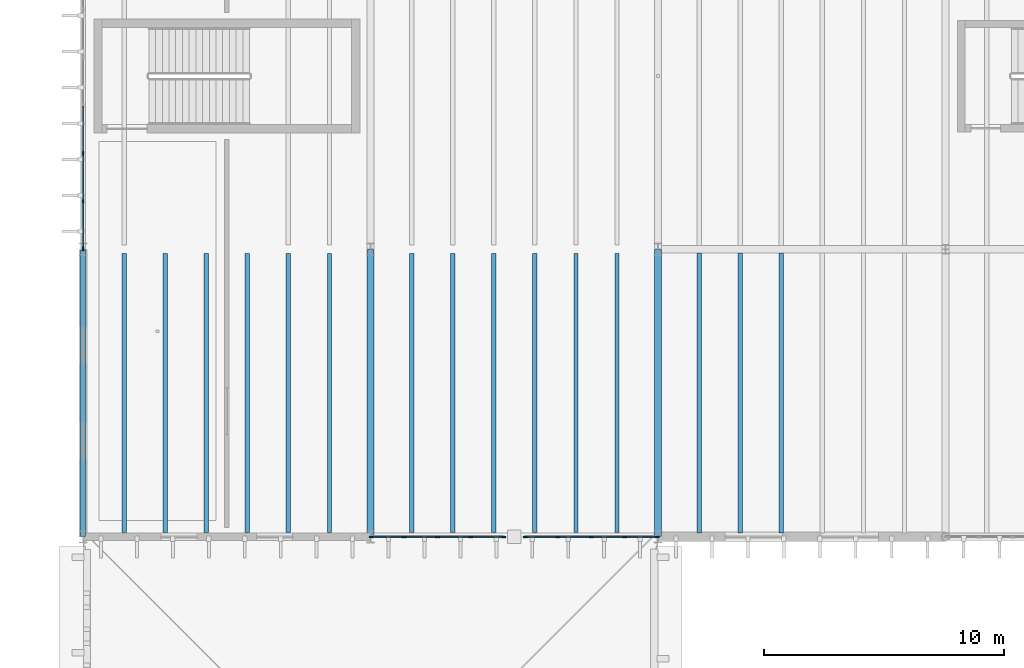
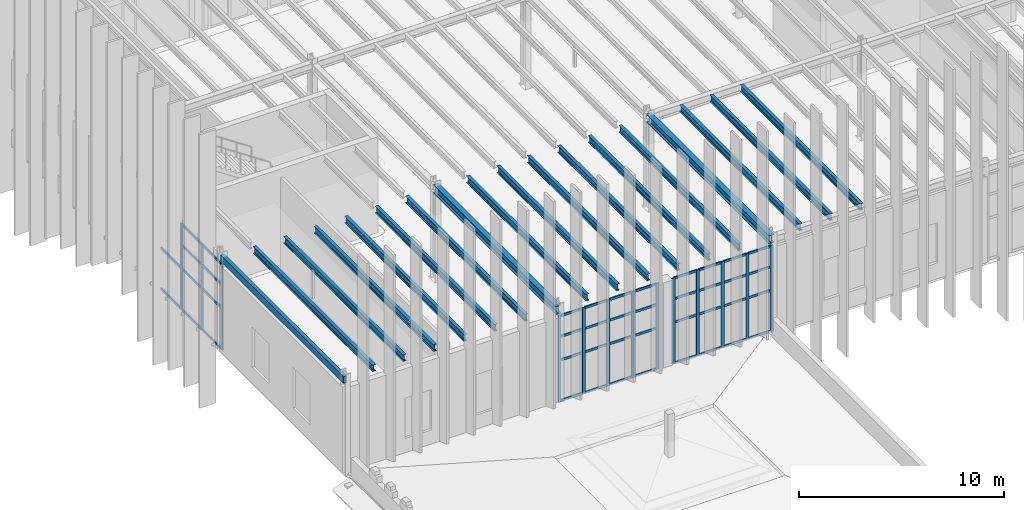
# One storey, part 15 of 83: 55 members, 18 beams, 3 elements without a shape of their own.
"""IFC4 building model written with IfcOpenShell, lengths in metres."""

from ifc_helpers import new_model, si_unit, direction, frame, origin, origin_2d, place, context, subcontext, project, spatial, rectangle, hollow_rectangle, i_section, extrude, material, layer, layer_set, material_profile, profile_set, type_object, element, aggregate, save


model = new_model("IFC4")

# Units and contexts
model_context = context("Model", 3, precision=1e-05, world=origin(), true_north=direction((0.0, 1.0)))
body_context = subcontext(model_context, "Body", "Model", "MODEL_VIEW")
ifc_project = project(units=[si_unit("LENGTHUNIT", "METRE"), si_unit("AREAUNIT", "SQUARE_METRE"), si_unit("VOLUMEUNIT", "CUBIC_METRE"), si_unit("PLANEANGLEUNIT", "RADIAN"), si_unit("MASSUNIT", "GRAM", prefix="KILO")], contexts=[model_context])

# Site, building, storey
site_placement = place(None, origin())
site = spatial("IfcSite", under=ifc_project, at=site_placement, CompositionType="ELEMENT")
building_placement = place(site_placement, origin())
building = spatial("IfcBuilding", under=site, at=building_placement, Name="Zlatogorsky Bluff Art Gallery", CompositionType="ELEMENT")
storey_placement = place(building_placement, frame((0.0, 0.0, 10.800048828125)))
storey = spatial("IfcBuildingStorey", under=building, at=storey_placement, Name="L02", CompositionType="ELEMENT", Elevation=10.800048828125)

# Beams
ifc_material_1 = material(Name="Steel S355", Category="steel")
ifc_material_profile_1 = material_profile(ifc_material_1, i_section(OverallWidth=0.300048828125, OverallDepth=0.489990234375, WebThickness=0.011962890625, FlangeThickness=0.02294921875, FilletRadius=0.027099609375, at=origin_2d()), Name="HEA 500")
ifc_profile_set_1 = profile_set([ifc_material_profile_1], Name="Steel S355")
beam_type_1 = type_object("IfcBeamType", Name="Beam BM-07 HEA 500", PredefinedType="BEAM", material=ifc_profile_set_1)
for number, where, z_axis, x_axis, name in (
    (1, (12.0, 84.014892578125, 5.445068359375), (0.0, 1.0, 0.0), (-1.0, 0.0, 0.0), "Primary girder BM-07 L02 B/9-10"),
    (2, (24.0, 84.014892578125, 5.445068359375), (0.0, 1.0, 0.0), (-1.0, 0.0, 0.0), "Primary girder BM-07 L02 C/9-10"),
):
    element("IfcBeam", number, at=place(storey_placement, frame(where, z_axis=z_axis, x_axis=x_axis)), inside=storey, type_object=beam_type_1, Name=name, PredefinedType="BEAM", context=body_context, shape_type="SweptSolid", body=[
        extrude(i_section(OverallWidth=0.300048828125, OverallDepth=0.489990234375, WebThickness=0.011962890625, FlangeThickness=0.02294921875, FilletRadius=0.027099609375, at=origin_2d()), origin(), (0.0, 0.0, 1.0), 11.97021484375),
    ])
ifc_material_profile_2 = material_profile(ifc_material_1, i_section(OverallWidth=0.179931640625, OverallDepth=0.39990234375, WebThickness=0.008544921875, FlangeThickness=0.013427734375, FilletRadius=0.02099609375, at=origin_2d()), Name="IPE 400")
ifc_profile_set_2 = profile_set([ifc_material_profile_2], Name="Steel S355")
beam_type_2 = type_object("IfcBeamType", Name="Beam JS-05 IPE 400", PredefinedType="JOIST", material=ifc_profile_set_2)
for number, where, z_axis, x_axis, name in (
    (3, (1.71435546875, 84.175048828125, 5.489990234375), (0.0, 1.0, 0.0), (-1.0, 0.0, 0.0), "Composite floor joist JS-05 L02 00.08.1"),
    (4, (3.428466796875, 84.175048828125, 5.489990234375), (0.0, 1.0, 0.0), (-1.0, 0.0, 0.0), "Composite floor joist JS-05 L02 00.08.2"),
    (5, (5.142822265625, 84.175048828125, 5.489990234375), (0.0, 1.0, 0.0), (-1.0, 0.0, 0.0), "Composite floor joist JS-05 L02 00.08.3"),
    (6, (6.857177734375, 84.175048828125, 5.489990234375), (0.0, 1.0, 0.0), (-1.0, 0.0, 0.0), "Composite floor joist JS-05 L02 00.08.4"),
    (7, (8.571533203125, 84.175048828125, 5.489990234375), (0.0, 1.0, 0.0), (-1.0, 0.0, 0.0), "Composite floor joist JS-05 L02 00.08.5"),
    (8, (10.28564453125, 84.175048828125, 5.489990234375), (0.0, 1.0, 0.0), (-1.0, 0.0, 0.0), "Composite floor joist JS-05 L02 00.08.6"),
    (9, (13.71435546875, 84.175048828125, 5.489990234375), (0.0, 1.0, 0.0), (-1.0, 0.0, 0.0), "Composite floor joist JS-05 L02 01.08.1"),
    (10, (15.428466796875, 84.175048828125, 5.489990234375), (0.0, 1.0, 0.0), (-1.0, 0.0, 0.0), "Composite floor joist JS-05 L02 01.08.2"),
    (11, (17.142822265625, 84.175048828125, 5.489990234375), (0.0, 1.0, 0.0), (-1.0, 0.0, 0.0), "Composite floor joist JS-05 L02 01.08.3"),
    (12, (18.857177734375, 84.175048828125, 5.489990234375), (0.0, 1.0, 0.0), (-1.0, 0.0, 0.0), "Composite floor joist JS-05 L02 01.08.4"),
    (13, (20.571533203125, 84.175048828125, 5.489990234375), (0.0, 1.0, 0.0), (-1.0, 0.0, 0.0), "Composite floor joist JS-05 L02 01.08.5"),
    (14, (22.28564453125, 84.175048828125, 5.489990234375), (0.0, 1.0, 0.0), (-1.0, 0.0, 0.0), "Composite floor joist JS-05 L02 01.08.6"),
):
    element("IfcBeam", number, at=place(storey_placement, frame(where, z_axis=z_axis, x_axis=x_axis)), inside=storey, type_object=beam_type_2, Name=name, PredefinedType="JOIST", context=body_context, shape_type="SweptSolid", body=[
        extrude(i_section(OverallWidth=0.179931640625, OverallDepth=0.39990234375, WebThickness=0.008544921875, FlangeThickness=0.013427734375, FilletRadius=0.02099609375, at=origin_2d()), origin(), (0.0, 0.0, 1.0), 11.64990234375),
    ])
for number, where, z_axis, x_axis, name in (
    (15, (25.71435546875, 84.14990234375, 5.489990234375), (0.0, 1.0, 0.0), (-1.0, 0.0, 0.0), "Composite floor joist JS-05 L02 02.08.1"),
    (16, (27.428466796875, 84.14990234375, 5.489990234375), (0.0, 1.0, 0.0), (-1.0, 0.0, 0.0), "Composite floor joist JS-05 L02 02.08.2"),
    (17, (29.142822265625, 84.14990234375, 5.489990234375), (0.0, 1.0, 0.0), (-1.0, 0.0, 0.0), "Composite floor joist JS-05 L02 02.08.3"),
):
    element("IfcBeam", number, at=place(storey_placement, frame(where, z_axis=z_axis, x_axis=x_axis)), inside=storey, type_object=beam_type_2, Name=name, PredefinedType="JOIST", context=body_context, shape_type="SweptSolid", body=[
        extrude(i_section(OverallWidth=0.179931640625, OverallDepth=0.39990234375, WebThickness=0.008544921875, FlangeThickness=0.013427734375, FilletRadius=0.02099609375, at=origin_2d()), origin(), (0.0, 0.0, 1.0), 11.7001953125),
    ])
ifc_material_profile_3 = material_profile(ifc_material_1, hollow_rectangle(XDim=0.199951171875, YDim=0.39990234375, WallThickness=0.01611328125, at=origin_2d()), Name="RHS 400x200x16")
ifc_profile_set_3 = profile_set([ifc_material_profile_3], Name="Steel S355")
beam_type_3 = type_object("IfcBeamType", Name="Beam SP-02 RHS 400x200x16", PredefinedType="SPANDREL", material=ifc_profile_set_3)
beam_placement = place(storey_placement, frame((0.0, 84.014892578125, 5.489990234375), z_axis=(0.0, 1.0, 0.0), x_axis=(-1.0, 0.0, 0.0)))
element("IfcBeam", 18, at=beam_placement, inside=storey, type_object=beam_type_3, Name="Primary girder SP-02 L02 A/9-10", PredefinedType="SPANDREL", context=body_context, shape_type="SweptSolid", body=[
    extrude(hollow_rectangle(XDim=0.199951171875, YDim=0.39990234375, WallThickness=0.01611328125, at=origin_2d()), origin(), (0.0, 0.0, 1.0), 11.97021484375),
])

# Curtain wall, members
ifc_material_2 = material(Name="Anodised Bronze Aluminium and Low-Iron Triple Glazing", Category="aluminium")
ifc_layer_1 = layer(ifc_material_2, 0.219970703125)
ifc_layer_set_1 = layer_set([ifc_layer_1], Name="Curtain Wall CW-04")
curtain_wall_type_1 = type_object("IfcCurtainWallType", Name="Curtain Wall CW-04", PredefinedType="USERDEFINED", material=ifc_layer_set_1)
curtain_wall_1_placement = place(storey_placement, origin())
curtain_wall_1 = element("IfcCurtainWall", 19, at=curtain_wall_1_placement, inside=storey, type_object=curtain_wall_type_1, Name="Unitised curtain wall CW-04 L02 W 0.9", ObjectType="CURTAIN WALL", PredefinedType="USERDEFINED")
ifc_material_3 = material(Name="Anodised Bronze Aluminium", Category="aluminium")
ifc_material_profile_4 = material_profile(ifc_material_3, rectangle(XDim=0.06494140625, YDim=0.179931640625, at=origin_2d()), Name="ALU MULLION 65x180")
ifc_profile_set_4 = profile_set([ifc_material_profile_4], Name="Anodised Bronze Aluminium")
member_type_1 = type_object("IfcMemberType", Name="Curtain Mullion ML-01", PredefinedType="MULLION", material=ifc_profile_set_4)
member_1_placement = place(storey_placement, frame((0.0, 100.0, 0.0), z_axis=(0.0, 0.0, 1.0), x_axis=(1.0, 0.0, 0.0)))
member_1 = element("IfcMember", 20, at=member_1_placement, type_object=member_type_1, Name="CW-04 mullion 5", PredefinedType="MULLION", context=body_context, shape_type="SweptSolid", body=[
    extrude(rectangle(XDim=0.06494140625, YDim=0.179931640625, at=origin_2d()), origin(), (0.0, 0.0, 1.0), 5.10986328125),
])
member_2_placement = place(storey_placement, frame((0.0, 98.0, 0.0), z_axis=(0.0, 0.0, 1.0), x_axis=(1.0, 0.0, 0.0)))
member_2 = element("IfcMember", 21, at=member_2_placement, type_object=member_type_1, Name="CW-04 mullion 6", PredefinedType="MULLION", context=body_context, shape_type="SweptSolid", body=[
    extrude(rectangle(XDim=0.06494140625, YDim=0.179931640625, at=origin_2d()), origin(), (0.0, 0.0, 1.0), 5.10986328125),
])
member_3_placement = place(storey_placement, frame((0.0, 96.032470703125, 0.0), z_axis=(0.0, 0.0, 1.0), x_axis=(1.0, 0.0, 0.0)))
member_3 = element("IfcMember", 22, at=member_3_placement, type_object=member_type_1, Name="CW-04 mullion 7", PredefinedType="MULLION", context=body_context, shape_type="SweptSolid", body=[
    extrude(rectangle(XDim=0.06494140625, YDim=0.179931640625, at=origin_2d()), origin(), (0.0, 0.0, 1.0), 5.10986328125),
])

ifc_layer_2 = layer(ifc_material_2, 0.179931640625)
ifc_layer_set_2 = layer_set([ifc_layer_2], Name="Curtain Wall CW-01")
curtain_wall_type_2 = type_object("IfcCurtainWallType", Name="Curtain Wall CW-01", PredefinedType="USERDEFINED", material=ifc_layer_set_2)
curtain_wall_2_placement = place(storey_placement, origin())
curtain_wall_2 = element("IfcCurtainWall", 23, at=curtain_wall_2_placement, inside=storey, type_object=curtain_wall_type_2, Name="Unitised curtain wall CW-01 L02 S 1.8-A", ObjectType="CURTAIN WALL", PredefinedType="USERDEFINED")
member_4_placement = place(storey_placement, frame((12.032470703125, 84.0, 0.0), z_axis=(0.0, 0.0, 1.0), x_axis=(0.0, 1.0, 0.0)))
member_4 = element("IfcMember", 24, at=member_4_placement, type_object=member_type_1, Name="CW-01 mullion 1", PredefinedType="MULLION", context=body_context, shape_type="SweptSolid", body=[
    extrude(rectangle(XDim=0.06494140625, YDim=0.179931640625, at=origin_2d()), origin(), (0.0, 0.0, 1.0), 5.10986328125),
])
member_5_placement = place(storey_placement, frame((13.39501953125, 84.0, 0.0), z_axis=(0.0, 0.0, 1.0), x_axis=(0.0, 1.0, 0.0)))
member_5 = element("IfcMember", 25, at=member_5_placement, type_object=member_type_1, Name="CW-01 mullion 2", PredefinedType="MULLION", context=body_context, shape_type="SweptSolid", body=[
    extrude(rectangle(XDim=0.06494140625, YDim=0.179931640625, at=origin_2d()), origin(), (0.0, 0.0, 1.0), 5.10986328125),
])
member_6_placement = place(storey_placement, frame((14.7900390625, 84.0, 0.0), z_axis=(0.0, 0.0, 1.0), x_axis=(0.0, 1.0, 0.0)))
member_6 = element("IfcMember", 26, at=member_6_placement, type_object=member_type_1, Name="CW-01 mullion 3", PredefinedType="MULLION", context=body_context, shape_type="SweptSolid", body=[
    extrude(rectangle(XDim=0.06494140625, YDim=0.179931640625, at=origin_2d()), origin(), (0.0, 0.0, 1.0), 5.10986328125),
])
member_7_placement = place(storey_placement, frame((16.18505859375, 84.0, 0.0), z_axis=(0.0, 0.0, 1.0), x_axis=(0.0, 1.0, 0.0)))
member_7 = element("IfcMember", 27, at=member_7_placement, type_object=member_type_1, Name="CW-01 mullion 4", PredefinedType="MULLION", context=body_context, shape_type="SweptSolid", body=[
    extrude(rectangle(XDim=0.06494140625, YDim=0.179931640625, at=origin_2d()), origin(), (0.0, 0.0, 1.0), 5.10986328125),
])
member_8_placement = place(storey_placement, frame((17.547607421875, 84.0, 0.0), z_axis=(0.0, 0.0, 1.0), x_axis=(0.0, 1.0, 0.0)))
member_8 = element("IfcMember", 28, at=member_8_placement, type_object=member_type_1, Name="CW-01 mullion 5", PredefinedType="MULLION", context=body_context, shape_type="SweptSolid", body=[
    extrude(rectangle(XDim=0.06494140625, YDim=0.179931640625, at=origin_2d()), origin(), (0.0, 0.0, 1.0), 5.10986328125),
])

curtain_wall_3_placement = place(storey_placement, origin())
curtain_wall_3 = element("IfcCurtainWall", 29, at=curtain_wall_3_placement, inside=storey, type_object=curtain_wall_type_2, Name="Unitised curtain wall CW-01 L02 S 1.8-B", ObjectType="CURTAIN WALL", PredefinedType="USERDEFINED")
member_9_placement = place(storey_placement, frame((18.452392578125, 84.0, 0.0), z_axis=(0.0, 0.0, 1.0), x_axis=(0.0, 1.0, 0.0)))
member_9 = element("IfcMember", 30, at=member_9_placement, type_object=member_type_1, Name="CW-01 mullion 1", PredefinedType="MULLION", context=body_context, shape_type="SweptSolid", body=[
    extrude(rectangle(XDim=0.06494140625, YDim=0.179931640625, at=origin_2d()), origin(), (0.0, 0.0, 1.0), 5.10986328125),
])
member_10_placement = place(storey_placement, frame((19.81494140625, 84.0, 0.0), z_axis=(0.0, 0.0, 1.0), x_axis=(0.0, 1.0, 0.0)))
member_10 = element("IfcMember", 31, at=member_10_placement, type_object=member_type_1, Name="CW-01 mullion 2", PredefinedType="MULLION", context=body_context, shape_type="SweptSolid", body=[
    extrude(rectangle(XDim=0.06494140625, YDim=0.179931640625, at=origin_2d()), origin(), (0.0, 0.0, 1.0), 5.10986328125),
])
member_11_placement = place(storey_placement, frame((21.2099609375, 84.0, 0.0), z_axis=(0.0, 0.0, 1.0), x_axis=(0.0, 1.0, 0.0)))
member_11 = element("IfcMember", 32, at=member_11_placement, type_object=member_type_1, Name="CW-01 mullion 3", PredefinedType="MULLION", context=body_context, shape_type="SweptSolid", body=[
    extrude(rectangle(XDim=0.06494140625, YDim=0.179931640625, at=origin_2d()), origin(), (0.0, 0.0, 1.0), 5.10986328125),
])
member_12_placement = place(storey_placement, frame((22.60498046875, 84.0, 0.0), z_axis=(0.0, 0.0, 1.0), x_axis=(0.0, 1.0, 0.0)))
member_12 = element("IfcMember", 33, at=member_12_placement, type_object=member_type_1, Name="CW-01 mullion 4", PredefinedType="MULLION", context=body_context, shape_type="SweptSolid", body=[
    extrude(rectangle(XDim=0.06494140625, YDim=0.179931640625, at=origin_2d()), origin(), (0.0, 0.0, 1.0), 5.10986328125),
])
member_13_placement = place(storey_placement, frame((23.967529296875, 84.0, 0.0), z_axis=(0.0, 0.0, 1.0), x_axis=(0.0, 1.0, 0.0)))
member_13 = element("IfcMember", 34, at=member_13_placement, type_object=member_type_1, Name="CW-01 mullion 5", PredefinedType="MULLION", context=body_context, shape_type="SweptSolid", body=[
    extrude(rectangle(XDim=0.06494140625, YDim=0.179931640625, at=origin_2d()), origin(), (0.0, 0.0, 1.0), 5.10986328125),
])

# Member
ifc_material_profile_5 = material_profile(ifc_material_3, rectangle(XDim=0.06494140625, YDim=0.139892578125, at=origin_2d()), Name="ALU TRANSOM 65x140")
ifc_profile_set_5 = profile_set([ifc_material_profile_5], Name="Anodised Bronze Aluminium")
member_type_2 = type_object("IfcMemberType", Name="Curtain Transom TR-01", PredefinedType="USERDEFINED", material=ifc_profile_set_5)
member_14_placement = place(storey_placement, frame((0.0, 101.967529296875, 0.032470703125), z_axis=(0.0, -1.0, 0.0), x_axis=(1.0, 0.0, 0.0)))
member_14 = element("IfcMember", 35, at=member_14_placement, type_object=member_type_2, Name="CW-04 transom 4.1", ObjectType="TRANSOM", PredefinedType="USERDEFINED", context=body_context, shape_type="SweptSolid", body=[
    extrude(rectangle(XDim=0.06494140625, YDim=0.139892578125, at=origin_2d()), origin(), (0.0, 0.0, 1.0), 1.93505859375),
])

member_15_placement = place(storey_placement, frame((0.0, 101.967529296875, 2.449951171875), z_axis=(0.0, -1.0, 0.0), x_axis=(1.0, 0.0, 0.0)))
member_15 = element("IfcMember", 36, at=member_15_placement, type_object=member_type_2, Name="CW-04 transom 4.2", ObjectType="TRANSOM", PredefinedType="USERDEFINED", context=body_context, shape_type="SweptSolid", body=[
    extrude(rectangle(XDim=0.06494140625, YDim=0.139892578125, at=origin_2d()), origin(), (0.0, 0.0, 1.0), 1.93505859375),
])

member_16_placement = place(storey_placement, frame((0.0, 99.967529296875, 0.032470703125), z_axis=(0.0, -1.0, 0.0), x_axis=(1.0, 0.0, 0.0)))
member_16 = element("IfcMember", 37, at=member_16_placement, type_object=member_type_2, Name="CW-04 transom 5.1", ObjectType="TRANSOM", PredefinedType="USERDEFINED", context=body_context, shape_type="SweptSolid", body=[
    extrude(rectangle(XDim=0.06494140625, YDim=0.139892578125, at=origin_2d()), origin(), (0.0, 0.0, 1.0), 1.93505859375),
])

member_17_placement = place(storey_placement, frame((0.0, 99.967529296875, 2.449951171875), z_axis=(0.0, -1.0, 0.0), x_axis=(1.0, 0.0, 0.0)))
member_17 = element("IfcMember", 38, at=member_17_placement, type_object=member_type_2, Name="CW-04 transom 5.2", ObjectType="TRANSOM", PredefinedType="USERDEFINED", context=body_context, shape_type="SweptSolid", body=[
    extrude(rectangle(XDim=0.06494140625, YDim=0.139892578125, at=origin_2d()), origin(), (0.0, 0.0, 1.0), 1.93505859375),
])

member_18_placement = place(storey_placement, frame((0.0, 99.967529296875, 3.849853515625), z_axis=(0.0, -1.0, 0.0), x_axis=(1.0, 0.0, 0.0)))
member_18 = element("IfcMember", 39, at=member_18_placement, type_object=member_type_2, Name="CW-04 transom 5.3", ObjectType="TRANSOM", PredefinedType="USERDEFINED", context=body_context, shape_type="SweptSolid", body=[
    extrude(rectangle(XDim=0.06494140625, YDim=0.139892578125, at=origin_2d()), origin(), (0.0, 0.0, 1.0), 1.93505859375),
])

member_19_placement = place(storey_placement, frame((0.0, 99.967529296875, 5.077392578125), z_axis=(0.0, -1.0, 0.0), x_axis=(1.0, 0.0, 0.0)))
member_19 = element("IfcMember", 40, at=member_19_placement, type_object=member_type_2, Name="CW-04 transom 5.4", ObjectType="TRANSOM", PredefinedType="USERDEFINED", context=body_context, shape_type="SweptSolid", body=[
    extrude(rectangle(XDim=0.06494140625, YDim=0.139892578125, at=origin_2d()), origin(), (0.0, 0.0, 1.0), 1.93505859375),
])

member_20_placement = place(storey_placement, frame((0.0, 97.967529296875, 0.032470703125), z_axis=(0.0, -1.0, 0.0), x_axis=(1.0, 0.0, 0.0)))
member_20 = element("IfcMember", 41, at=member_20_placement, type_object=member_type_2, Name="CW-04 transom 6.1", ObjectType="TRANSOM", PredefinedType="USERDEFINED", context=body_context, shape_type="SweptSolid", body=[
    extrude(rectangle(XDim=0.06494140625, YDim=0.139892578125, at=origin_2d()), origin(), (0.0, 0.0, 1.0), 1.902587890625),
])

member_21_placement = place(storey_placement, frame((0.0, 97.967529296875, 2.449951171875), z_axis=(0.0, -1.0, 0.0), x_axis=(1.0, 0.0, 0.0)))
member_21 = element("IfcMember", 42, at=member_21_placement, type_object=member_type_2, Name="CW-04 transom 6.2", ObjectType="TRANSOM", PredefinedType="USERDEFINED", context=body_context, shape_type="SweptSolid", body=[
    extrude(rectangle(XDim=0.06494140625, YDim=0.139892578125, at=origin_2d()), origin(), (0.0, 0.0, 1.0), 1.902587890625),
])

member_22_placement = place(storey_placement, frame((0.0, 97.967529296875, 3.849853515625), z_axis=(0.0, -1.0, 0.0), x_axis=(1.0, 0.0, 0.0)))
member_22 = element("IfcMember", 43, at=member_22_placement, type_object=member_type_2, Name="CW-04 transom 6.3", ObjectType="TRANSOM", PredefinedType="USERDEFINED", context=body_context, shape_type="SweptSolid", body=[
    extrude(rectangle(XDim=0.06494140625, YDim=0.139892578125, at=origin_2d()), origin(), (0.0, 0.0, 1.0), 1.902587890625),
])

member_23_placement = place(storey_placement, frame((0.0, 97.967529296875, 5.077392578125), z_axis=(0.0, -1.0, 0.0), x_axis=(1.0, 0.0, 0.0)))
member_23 = element("IfcMember", 44, at=member_23_placement, type_object=member_type_2, Name="CW-04 transom 6.4", ObjectType="TRANSOM", PredefinedType="USERDEFINED", context=body_context, shape_type="SweptSolid", body=[
    extrude(rectangle(XDim=0.06494140625, YDim=0.139892578125, at=origin_2d()), origin(), (0.0, 0.0, 1.0), 1.902587890625),
])

aggregate(curtain_wall_1, [member_1, member_2, member_3, member_14, member_15, member_16, member_17, member_18, member_19, member_20, member_21, member_22, member_23])

member_24_placement = place(storey_placement, frame((12.06494140625, 84.0, 0.032470703125), z_axis=(1.0, 0.0, 0.0), x_axis=(0.0, 1.0, 0.0)))
member_24 = element("IfcMember", 45, at=member_24_placement, type_object=member_type_2, Name="CW-01 transom 1.1", ObjectType="TRANSOM", PredefinedType="USERDEFINED", context=body_context, shape_type="SweptSolid", body=[
    extrude(rectangle(XDim=0.06494140625, YDim=0.139892578125, at=origin_2d()), origin(), (0.0, 0.0, 1.0), 1.297607421875),
])

member_25_placement = place(storey_placement, frame((12.06494140625, 84.0, 2.449951171875), z_axis=(1.0, 0.0, 0.0), x_axis=(0.0, 1.0, 0.0)))
member_25 = element("IfcMember", 46, at=member_25_placement, type_object=member_type_2, Name="CW-01 transom 1.2", ObjectType="TRANSOM", PredefinedType="USERDEFINED", context=body_context, shape_type="SweptSolid", body=[
    extrude(rectangle(XDim=0.06494140625, YDim=0.139892578125, at=origin_2d()), origin(), (0.0, 0.0, 1.0), 1.297607421875),
])

member_26_placement = place(storey_placement, frame((12.06494140625, 84.0, 3.849853515625), z_axis=(1.0, 0.0, 0.0), x_axis=(0.0, 1.0, 0.0)))
member_26 = element("IfcMember", 47, at=member_26_placement, type_object=member_type_2, Name="CW-01 transom 1.3", ObjectType="TRANSOM", PredefinedType="USERDEFINED", context=body_context, shape_type="SweptSolid", body=[
    extrude(rectangle(XDim=0.06494140625, YDim=0.139892578125, at=origin_2d()), origin(), (0.0, 0.0, 1.0), 1.297607421875),
])

member_27_placement = place(storey_placement, frame((12.06494140625, 84.0, 5.077392578125), z_axis=(1.0, 0.0, 0.0), x_axis=(0.0, 1.0, 0.0)))
member_27 = element("IfcMember", 48, at=member_27_placement, type_object=member_type_2, Name="CW-01 transom 1.4", ObjectType="TRANSOM", PredefinedType="USERDEFINED", context=body_context, shape_type="SweptSolid", body=[
    extrude(rectangle(XDim=0.06494140625, YDim=0.139892578125, at=origin_2d()), origin(), (0.0, 0.0, 1.0), 1.297607421875),
])

member_28_placement = place(storey_placement, frame((13.427490234375, 84.0, 0.032470703125), z_axis=(1.0, 0.0, 0.0), x_axis=(0.0, 1.0, 0.0)))
member_28 = element("IfcMember", 49, at=member_28_placement, type_object=member_type_2, Name="CW-01 transom 2.1", ObjectType="TRANSOM", PredefinedType="USERDEFINED", context=body_context, shape_type="SweptSolid", body=[
    extrude(rectangle(XDim=0.06494140625, YDim=0.139892578125, at=origin_2d()), origin(), (0.0, 0.0, 1.0), 1.330078125),
])

member_29_placement = place(storey_placement, frame((13.427490234375, 84.0, 2.449951171875), z_axis=(1.0, 0.0, 0.0), x_axis=(0.0, 1.0, 0.0)))
member_29 = element("IfcMember", 50, at=member_29_placement, type_object=member_type_2, Name="CW-01 transom 2.2", ObjectType="TRANSOM", PredefinedType="USERDEFINED", context=body_context, shape_type="SweptSolid", body=[
    extrude(rectangle(XDim=0.06494140625, YDim=0.139892578125, at=origin_2d()), origin(), (0.0, 0.0, 1.0), 1.330078125),
])

member_30_placement = place(storey_placement, frame((13.427490234375, 84.0, 3.849853515625), z_axis=(1.0, 0.0, 0.0), x_axis=(0.0, 1.0, 0.0)))
member_30 = element("IfcMember", 51, at=member_30_placement, type_object=member_type_2, Name="CW-01 transom 2.3", ObjectType="TRANSOM", PredefinedType="USERDEFINED", context=body_context, shape_type="SweptSolid", body=[
    extrude(rectangle(XDim=0.06494140625, YDim=0.139892578125, at=origin_2d()), origin(), (0.0, 0.0, 1.0), 1.330078125),
])

member_31_placement = place(storey_placement, frame((13.427490234375, 84.0, 5.077392578125), z_axis=(1.0, 0.0, 0.0), x_axis=(0.0, 1.0, 0.0)))
member_31 = element("IfcMember", 52, at=member_31_placement, type_object=member_type_2, Name="CW-01 transom 2.4", ObjectType="TRANSOM", PredefinedType="USERDEFINED", context=body_context, shape_type="SweptSolid", body=[
    extrude(rectangle(XDim=0.06494140625, YDim=0.139892578125, at=origin_2d()), origin(), (0.0, 0.0, 1.0), 1.330078125),
])

member_32_placement = place(storey_placement, frame((14.822509765625, 84.0, 0.032470703125), z_axis=(1.0, 0.0, 0.0), x_axis=(0.0, 1.0, 0.0)))
member_32 = element("IfcMember", 53, at=member_32_placement, type_object=member_type_2, Name="CW-01 transom 3.1", ObjectType="TRANSOM", PredefinedType="USERDEFINED", context=body_context, shape_type="SweptSolid", body=[
    extrude(rectangle(XDim=0.06494140625, YDim=0.139892578125, at=origin_2d()), origin(), (0.0, 0.0, 1.0), 1.330078125),
])

member_33_placement = place(storey_placement, frame((14.822509765625, 84.0, 2.449951171875), z_axis=(1.0, 0.0, 0.0), x_axis=(0.0, 1.0, 0.0)))
member_33 = element("IfcMember", 54, at=member_33_placement, type_object=member_type_2, Name="CW-01 transom 3.2", ObjectType="TRANSOM", PredefinedType="USERDEFINED", context=body_context, shape_type="SweptSolid", body=[
    extrude(rectangle(XDim=0.06494140625, YDim=0.139892578125, at=origin_2d()), origin(), (0.0, 0.0, 1.0), 1.330078125),
])

member_34_placement = place(storey_placement, frame((14.822509765625, 84.0, 3.849853515625), z_axis=(1.0, 0.0, 0.0), x_axis=(0.0, 1.0, 0.0)))
member_34 = element("IfcMember", 55, at=member_34_placement, type_object=member_type_2, Name="CW-01 transom 3.3", ObjectType="TRANSOM", PredefinedType="USERDEFINED", context=body_context, shape_type="SweptSolid", body=[
    extrude(rectangle(XDim=0.06494140625, YDim=0.139892578125, at=origin_2d()), origin(), (0.0, 0.0, 1.0), 1.330078125),
])

member_35_placement = place(storey_placement, frame((14.822509765625, 84.0, 5.077392578125), z_axis=(1.0, 0.0, 0.0), x_axis=(0.0, 1.0, 0.0)))
member_35 = element("IfcMember", 56, at=member_35_placement, type_object=member_type_2, Name="CW-01 transom 3.4", ObjectType="TRANSOM", PredefinedType="USERDEFINED", context=body_context, shape_type="SweptSolid", body=[
    extrude(rectangle(XDim=0.06494140625, YDim=0.139892578125, at=origin_2d()), origin(), (0.0, 0.0, 1.0), 1.330078125),
])

member_36_placement = place(storey_placement, frame((16.217529296875, 84.0, 0.032470703125), z_axis=(1.0, 0.0, 0.0), x_axis=(0.0, 1.0, 0.0)))
member_36 = element("IfcMember", 57, at=member_36_placement, type_object=member_type_2, Name="CW-01 transom 4.1", ObjectType="TRANSOM", PredefinedType="USERDEFINED", context=body_context, shape_type="SweptSolid", body=[
    extrude(rectangle(XDim=0.06494140625, YDim=0.139892578125, at=origin_2d()), origin(), (0.0, 0.0, 1.0), 1.29736328125),
])

member_37_placement = place(storey_placement, frame((16.217529296875, 84.0, 2.449951171875), z_axis=(1.0, 0.0, 0.0), x_axis=(0.0, 1.0, 0.0)))
member_37 = element("IfcMember", 58, at=member_37_placement, type_object=member_type_2, Name="CW-01 transom 4.2", ObjectType="TRANSOM", PredefinedType="USERDEFINED", context=body_context, shape_type="SweptSolid", body=[
    extrude(rectangle(XDim=0.06494140625, YDim=0.139892578125, at=origin_2d()), origin(), (0.0, 0.0, 1.0), 1.29736328125),
])

member_38_placement = place(storey_placement, frame((16.217529296875, 84.0, 3.849853515625), z_axis=(1.0, 0.0, 0.0), x_axis=(0.0, 1.0, 0.0)))
member_38 = element("IfcMember", 59, at=member_38_placement, type_object=member_type_2, Name="CW-01 transom 4.3", ObjectType="TRANSOM", PredefinedType="USERDEFINED", context=body_context, shape_type="SweptSolid", body=[
    extrude(rectangle(XDim=0.06494140625, YDim=0.139892578125, at=origin_2d()), origin(), (0.0, 0.0, 1.0), 1.29736328125),
])

member_39_placement = place(storey_placement, frame((16.217529296875, 84.0, 5.077392578125), z_axis=(1.0, 0.0, 0.0), x_axis=(0.0, 1.0, 0.0)))
member_39 = element("IfcMember", 60, at=member_39_placement, type_object=member_type_2, Name="CW-01 transom 4.4", ObjectType="TRANSOM", PredefinedType="USERDEFINED", context=body_context, shape_type="SweptSolid", body=[
    extrude(rectangle(XDim=0.06494140625, YDim=0.139892578125, at=origin_2d()), origin(), (0.0, 0.0, 1.0), 1.29736328125),
])

aggregate(curtain_wall_2, [member_4, member_5, member_6, member_7, member_8, member_24, member_25, member_26, member_27, member_28, member_29, member_30, member_31, member_32, member_33, member_34, member_35, member_36, member_37, member_38, member_39])

member_40_placement = place(storey_placement, frame((18.485107421875, 84.0, 0.032470703125), z_axis=(1.0, 0.0, 0.0), x_axis=(0.0, 1.0, 0.0)))
member_40 = element("IfcMember", 61, at=member_40_placement, type_object=member_type_2, Name="CW-01 transom 1.1", ObjectType="TRANSOM", PredefinedType="USERDEFINED", context=body_context, shape_type="SweptSolid", body=[
    extrude(rectangle(XDim=0.06494140625, YDim=0.139892578125, at=origin_2d()), origin(), (0.0, 0.0, 1.0), 1.29736328125),
])

member_41_placement = place(storey_placement, frame((18.485107421875, 84.0, 2.449951171875), z_axis=(1.0, 0.0, 0.0), x_axis=(0.0, 1.0, 0.0)))
member_41 = element("IfcMember", 62, at=member_41_placement, type_object=member_type_2, Name="CW-01 transom 1.2", ObjectType="TRANSOM", PredefinedType="USERDEFINED", context=body_context, shape_type="SweptSolid", body=[
    extrude(rectangle(XDim=0.06494140625, YDim=0.139892578125, at=origin_2d()), origin(), (0.0, 0.0, 1.0), 1.29736328125),
])

member_42_placement = place(storey_placement, frame((18.485107421875, 84.0, 3.849853515625), z_axis=(1.0, 0.0, 0.0), x_axis=(0.0, 1.0, 0.0)))
member_42 = element("IfcMember", 63, at=member_42_placement, type_object=member_type_2, Name="CW-01 transom 1.3", ObjectType="TRANSOM", PredefinedType="USERDEFINED", context=body_context, shape_type="SweptSolid", body=[
    extrude(rectangle(XDim=0.06494140625, YDim=0.139892578125, at=origin_2d()), origin(), (0.0, 0.0, 1.0), 1.29736328125),
])

member_43_placement = place(storey_placement, frame((18.485107421875, 84.0, 5.077392578125), z_axis=(1.0, 0.0, 0.0), x_axis=(0.0, 1.0, 0.0)))
member_43 = element("IfcMember", 64, at=member_43_placement, type_object=member_type_2, Name="CW-01 transom 1.4", ObjectType="TRANSOM", PredefinedType="USERDEFINED", context=body_context, shape_type="SweptSolid", body=[
    extrude(rectangle(XDim=0.06494140625, YDim=0.139892578125, at=origin_2d()), origin(), (0.0, 0.0, 1.0), 1.29736328125),
])

member_44_placement = place(storey_placement, frame((19.847412109375, 84.0, 0.032470703125), z_axis=(1.0, 0.0, 0.0), x_axis=(0.0, 1.0, 0.0)))
member_44 = element("IfcMember", 65, at=member_44_placement, type_object=member_type_2, Name="CW-01 transom 2.1", ObjectType="TRANSOM", PredefinedType="USERDEFINED", context=body_context, shape_type="SweptSolid", body=[
    extrude(rectangle(XDim=0.06494140625, YDim=0.139892578125, at=origin_2d()), origin(), (0.0, 0.0, 1.0), 1.330078125),
])

member_45_placement = place(storey_placement, frame((19.847412109375, 84.0, 2.449951171875), z_axis=(1.0, 0.0, 0.0), x_axis=(0.0, 1.0, 0.0)))
member_45 = element("IfcMember", 66, at=member_45_placement, type_object=member_type_2, Name="CW-01 transom 2.2", ObjectType="TRANSOM", PredefinedType="USERDEFINED", context=body_context, shape_type="SweptSolid", body=[
    extrude(rectangle(XDim=0.06494140625, YDim=0.139892578125, at=origin_2d()), origin(), (0.0, 0.0, 1.0), 1.330078125),
])

member_46_placement = place(storey_placement, frame((19.847412109375, 84.0, 3.849853515625), z_axis=(1.0, 0.0, 0.0), x_axis=(0.0, 1.0, 0.0)))
member_46 = element("IfcMember", 67, at=member_46_placement, type_object=member_type_2, Name="CW-01 transom 2.3", ObjectType="TRANSOM", PredefinedType="USERDEFINED", context=body_context, shape_type="SweptSolid", body=[
    extrude(rectangle(XDim=0.06494140625, YDim=0.139892578125, at=origin_2d()), origin(), (0.0, 0.0, 1.0), 1.330078125),
])

member_47_placement = place(storey_placement, frame((19.847412109375, 84.0, 5.077392578125), z_axis=(1.0, 0.0, 0.0), x_axis=(0.0, 1.0, 0.0)))
member_47 = element("IfcMember", 68, at=member_47_placement, type_object=member_type_2, Name="CW-01 transom 2.4", ObjectType="TRANSOM", PredefinedType="USERDEFINED", context=body_context, shape_type="SweptSolid", body=[
    extrude(rectangle(XDim=0.06494140625, YDim=0.139892578125, at=origin_2d()), origin(), (0.0, 0.0, 1.0), 1.330078125),
])

member_48_placement = place(storey_placement, frame((21.242431640625, 84.0, 0.032470703125), z_axis=(1.0, 0.0, 0.0), x_axis=(0.0, 1.0, 0.0)))
member_48 = element("IfcMember", 69, at=member_48_placement, type_object=member_type_2, Name="CW-01 transom 3.1", ObjectType="TRANSOM", PredefinedType="USERDEFINED", context=body_context, shape_type="SweptSolid", body=[
    extrude(rectangle(XDim=0.06494140625, YDim=0.139892578125, at=origin_2d()), origin(), (0.0, 0.0, 1.0), 1.330078125),
])

member_49_placement = place(storey_placement, frame((21.242431640625, 84.0, 2.449951171875), z_axis=(1.0, 0.0, 0.0), x_axis=(0.0, 1.0, 0.0)))
member_49 = element("IfcMember", 70, at=member_49_placement, type_object=member_type_2, Name="CW-01 transom 3.2", ObjectType="TRANSOM", PredefinedType="USERDEFINED", context=body_context, shape_type="SweptSolid", body=[
    extrude(rectangle(XDim=0.06494140625, YDim=0.139892578125, at=origin_2d()), origin(), (0.0, 0.0, 1.0), 1.330078125),
])

member_50_placement = place(storey_placement, frame((21.242431640625, 84.0, 3.849853515625), z_axis=(1.0, 0.0, 0.0), x_axis=(0.0, 1.0, 0.0)))
member_50 = element("IfcMember", 71, at=member_50_placement, type_object=member_type_2, Name="CW-01 transom 3.3", ObjectType="TRANSOM", PredefinedType="USERDEFINED", context=body_context, shape_type="SweptSolid", body=[
    extrude(rectangle(XDim=0.06494140625, YDim=0.139892578125, at=origin_2d()), origin(), (0.0, 0.0, 1.0), 1.330078125),
])

member_51_placement = place(storey_placement, frame((21.242431640625, 84.0, 5.077392578125), z_axis=(1.0, 0.0, 0.0), x_axis=(0.0, 1.0, 0.0)))
member_51 = element("IfcMember", 72, at=member_51_placement, type_object=member_type_2, Name="CW-01 transom 3.4", ObjectType="TRANSOM", PredefinedType="USERDEFINED", context=body_context, shape_type="SweptSolid", body=[
    extrude(rectangle(XDim=0.06494140625, YDim=0.139892578125, at=origin_2d()), origin(), (0.0, 0.0, 1.0), 1.330078125),
])

member_52_placement = place(storey_placement, frame((22.637451171875, 84.0, 0.032470703125), z_axis=(1.0, 0.0, 0.0), x_axis=(0.0, 1.0, 0.0)))
member_52 = element("IfcMember", 73, at=member_52_placement, type_object=member_type_2, Name="CW-01 transom 4.1", ObjectType="TRANSOM", PredefinedType="USERDEFINED", context=body_context, shape_type="SweptSolid", body=[
    extrude(rectangle(XDim=0.06494140625, YDim=0.139892578125, at=origin_2d()), origin(), (0.0, 0.0, 1.0), 1.297607421875),
])

member_53_placement = place(storey_placement, frame((22.637451171875, 84.0, 2.449951171875), z_axis=(1.0, 0.0, 0.0), x_axis=(0.0, 1.0, 0.0)))
member_53 = element("IfcMember", 74, at=member_53_placement, type_object=member_type_2, Name="CW-01 transom 4.2", ObjectType="TRANSOM", PredefinedType="USERDEFINED", context=body_context, shape_type="SweptSolid", body=[
    extrude(rectangle(XDim=0.06494140625, YDim=0.139892578125, at=origin_2d()), origin(), (0.0, 0.0, 1.0), 1.297607421875),
])

member_54_placement = place(storey_placement, frame((22.637451171875, 84.0, 3.849853515625), z_axis=(1.0, 0.0, 0.0), x_axis=(0.0, 1.0, 0.0)))
member_54 = element("IfcMember", 75, at=member_54_placement, type_object=member_type_2, Name="CW-01 transom 4.3", ObjectType="TRANSOM", PredefinedType="USERDEFINED", context=body_context, shape_type="SweptSolid", body=[
    extrude(rectangle(XDim=0.06494140625, YDim=0.139892578125, at=origin_2d()), origin(), (0.0, 0.0, 1.0), 1.297607421875),
])

member_55_placement = place(storey_placement, frame((22.637451171875, 84.0, 5.077392578125), z_axis=(1.0, 0.0, 0.0), x_axis=(0.0, 1.0, 0.0)))
member_55 = element("IfcMember", 76, at=member_55_placement, type_object=member_type_2, Name="CW-01 transom 4.4", ObjectType="TRANSOM", PredefinedType="USERDEFINED", context=body_context, shape_type="SweptSolid", body=[
    extrude(rectangle(XDim=0.06494140625, YDim=0.139892578125, at=origin_2d()), origin(), (0.0, 0.0, 1.0), 1.297607421875),
])

aggregate(curtain_wall_3, [member_9, member_10, member_11, member_12, member_13, member_40, member_41, member_42, member_43, member_44, member_45, member_46, member_47, member_48, member_49, member_50, member_51, member_52, member_53, member_54, member_55])

save(model, "model.ifc")
